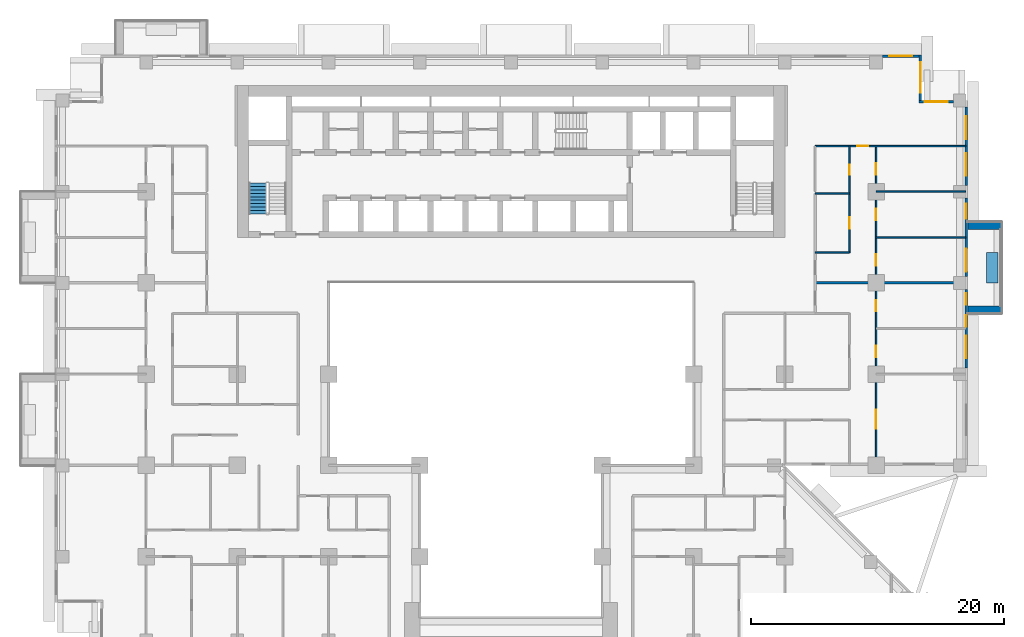
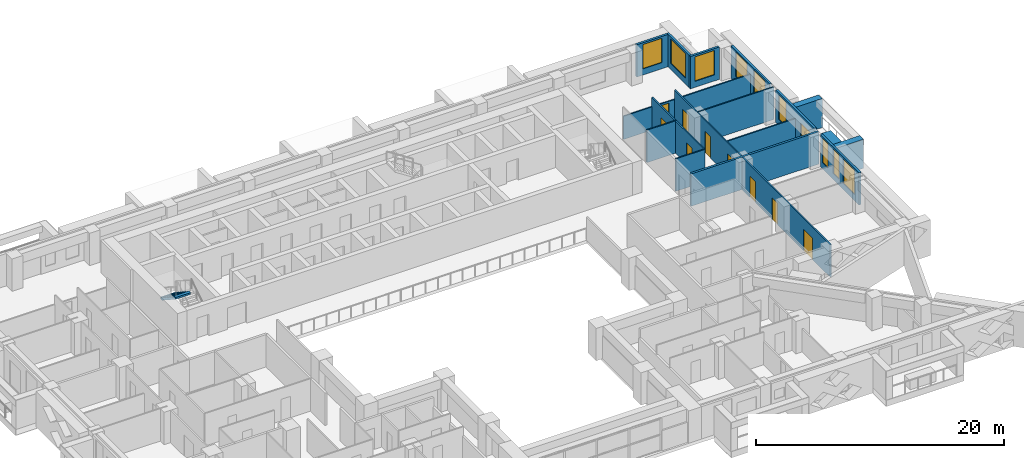
# One storey, part 12 of 17: 17 walls, 10 doors, 9 windows, 1 stair flight, 19 openings, 1 element without a shape of its own.
"""IFC4 building model written with IfcOpenShell, lengths in metres."""

from ifc_helpers import new_model, si_unit, direction, frame, frame_2d, origin, place, context, subcontext, project, spatial, polyline, rectangle, outline, extrude, material, layer, layer_set, type_object, element, fill, aggregate, save


model = new_model("IFC4")

# Units and contexts
model_context = context("Model", 3, precision=1e-05, world=origin(), true_north=direction((0.0, 1.0)))
body_context = subcontext(model_context, "Body", "Model", "MODEL_VIEW")
ifc_project = project(units=[si_unit("LENGTHUNIT", "METRE"), si_unit("AREAUNIT", "SQUARE_METRE"), si_unit("VOLUMEUNIT", "CUBIC_METRE"), si_unit("PLANEANGLEUNIT", "RADIAN"), si_unit("MASSUNIT", "GRAM", prefix="KILO")], contexts=[model_context])

# Site, building, storey
site_placement = place(None, origin())
site = spatial("IfcSite", under=ifc_project, at=site_placement, CompositionType="ELEMENT")
building_placement = place(site_placement, origin())
building = spatial("IfcBuilding", under=site, at=building_placement, Name="Saffron Iwan Residences", CompositionType="ELEMENT")
storey_placement = place(building_placement, frame((0.0, 0.0, 79.5)))
storey = spatial("IfcBuildingStorey", under=building, at=storey_placement, Name="L20", CompositionType="ELEMENT", Elevation=79.5)

# Walls
ifc_material_1 = material(Name="Concrete C50/60 white painted", Category="concrete")
ifc_layer_1 = layer(ifc_material_1, 0.60009765625)
ifc_layer_set_1 = layer_set([ifc_layer_1], Name="Concrete C50/60 white painted")
wall_type_1 = type_object("IfcWallType", Name="BALCONY FIN 600", PredefinedType="SOLIDWALL", material=ifc_layer_set_1)
for number, where, z_axis, x_axis, name in (
    (1, (86.449951171875, 60.300048828125, 0.0), (0.0, 0.0, 1.0), (1.0, 0.0, 0.0), "Balcony fin L20 F2-0a"),
    (2, (86.449951171875, 66.89990234375, 0.0), (0.0, 0.0, 1.0), (1.0, 0.0, 0.0), "Balcony fin L20 F2-0b"),
):
    element("IfcWall", number, at=place(storey_placement, frame(where, z_axis=z_axis, x_axis=x_axis)), inside=storey, type_object=wall_type_1, Name=name, PredefinedType="SOLIDWALL", context=body_context, shape_type="SweptSolid", body=[
        extrude(rectangle(XDim=2.650146484375, YDim=0.60009765625, at=frame_2d((1.3251953125, 0.0))), origin(), (0.0, 0.0, 1.0), 2.85009765625),
    ])
ifc_material_2 = material(Name="Concrete C35/45 white painted", Category="concrete")
ifc_layer_2 = layer(ifc_material_2, 0.14990234375)
ifc_layer_set_2 = layer_set([ifc_layer_2], Name="Concrete C35/45 white painted")
wall_type_2 = type_object("IfcWallType", Name="BALCONY PLANTER", PredefinedType="SOLIDWALL", material=ifc_layer_set_2)
wall_1_placement = place(storey_placement, frame((88.375, 62.39990234375, 0.0), z_axis=(0.0, 0.0, 1.0), x_axis=(0.0, 1.0, 0.0)))
element("IfcWall", 3, at=wall_1_placement, inside=storey, type_object=wall_type_2, Name="PLANTER L20 F2-0", PredefinedType="SOLIDWALL", context=body_context, shape_type="SweptSolid", body=[
    extrude(rectangle(XDim=2.400146484375, YDim=0.89990234375, at=frame_2d((1.2001953125, 0.0))), origin(), (0.0, 0.0, 1.0), 0.89990234375),
])

# Wall, openings, windows
ifc_material_3 = material(Name="Concrete C40/50", Category="concrete")
ifc_layer_3 = layer(ifc_material_3, 0.199951171875)
ifc_layer_set_3 = layer_set([ifc_layer_3], Name="Concrete C40/50")
wall_type_3 = type_object("IfcWallType", Name="EXTERNAL WALL 200", PredefinedType="SOLIDWALL", material=ifc_layer_set_3)
wall_2_placement = place(storey_placement, frame((86.300048828125, 55.699951171875, 0.0), z_axis=(0.0, 0.0, 1.0), x_axis=(0.0, 1.0, 0.0)))
wall_2 = element("IfcWall", 4, at=wall_2_placement, inside=storey, type_object=wall_type_3, Name="External wall L20 F2.1", PredefinedType="SOLIDWALL", context=body_context, shape_type="SweptSolid", body=[
    extrude(rectangle(XDim=6.199951171875, YDim=0.199951171875, at=frame_2d((3.10009765625, 0.0))), origin(), (0.0, 0.0, 1.0), 3.179931640625),
])
opening_1_placement = place(wall_2_placement, frame((0.75, 0.0, 0.60009765625)))
opening_1 = element("IfcOpeningElement", 5, at=opening_1_placement, cuts=wall_2, Name="Opening W8", PredefinedType="OPENING", context=body_context, shape_type="SweptSolid", body=[
    extrude(rectangle(XDim=1.800048828125, YDim=2.39990234375, at=frame_2d((0.89990234375, 1.199951171875))), frame((0.0, 0.10986328125, 0.0), z_axis=(0.0, -1.0, 0.0), x_axis=(1.0, 0.0, 0.0)), (0.0, 0.0, 1.0), 0.219970703125),
])
opening_2_placement = place(wall_2_placement, frame((3.25, 0.0, 0.60009765625)))
opening_2 = element("IfcOpeningElement", 6, at=opening_2_placement, cuts=wall_2, Name="Opening W10", PredefinedType="OPENING", context=body_context, shape_type="SweptSolid", body=[
    extrude(rectangle(XDim=0.89990234375, YDim=2.39990234375, at=frame_2d((0.449951171875, 1.199951171875))), frame((0.0, 0.10986328125, 0.0), z_axis=(0.0, -1.0, 0.0), x_axis=(1.0, 0.0, 0.0)), (0.0, 0.0, 1.0), 0.219970703125),
])
opening_3_placement = place(wall_2_placement, frame((5.0, 0.0, 0.60009765625)))
opening_3 = element("IfcOpeningElement", 7, at=opening_3_placement, cuts=wall_2, Name="Opening W10", PredefinedType="OPENING", context=body_context, shape_type="SweptSolid", body=[
    extrude(rectangle(XDim=0.89990234375, YDim=2.39990234375, at=frame_2d((0.449951171875, 1.199951171875))), frame((0.0, 0.10986328125, 0.0), z_axis=(0.0, -1.0, 0.0), x_axis=(1.0, 0.0, 0.0)), (0.0, 0.0, 1.0), 0.219970703125),
])
ifc_material_4 = material(Name="Clear glass, laminated double glazed", Category="glass")
window_type_1 = type_object("IfcWindowType", Name="WINDOW 1800 x 2400", PartitioningType="DOUBLE_PANEL_VERTICAL", PredefinedType="WINDOW", material=ifc_material_4)
window_1_placement = place(opening_1_placement, origin())
window_1 = element("IfcWindow", 8, at=window_1_placement, inside=storey, type_object=window_type_1, Name="Window L20 F2.0", OverallHeight=2.39990234375, OverallWidth=1.800048828125, PartitioningType="DOUBLE_PANEL_VERTICAL", PredefinedType="WINDOW", context=body_context, shape_type="SweptSolid", body=[
    extrude(rectangle(XDim=1.800048828125, YDim=2.39990234375, at=frame_2d((0.89990234375, 1.199951171875))), frame((0.0, 0.030029296875, 0.0), z_axis=(0.0, -1.0, 0.0), x_axis=(1.0, 0.0, 0.0)), (0.0, 0.0, 1.0), 0.06005859375),
])
fill(opening_1, window_1)
window_type_2 = type_object("IfcWindowType", Name="WINDOW 900 x 2400", PartitioningType="SINGLE_PANEL", PredefinedType="WINDOW", material=ifc_material_4)
window_2_placement = place(opening_2_placement, origin())
window_2 = element("IfcWindow", 9, at=window_2_placement, inside=storey, type_object=window_type_2, Name="Window L20 F2.1", OverallHeight=2.39990234375, OverallWidth=0.89990234375, PartitioningType="SINGLE_PANEL", PredefinedType="WINDOW", context=body_context, shape_type="SweptSolid", body=[
    extrude(rectangle(XDim=0.89990234375, YDim=2.39990234375, at=frame_2d((0.449951171875, 1.199951171875))), frame((0.0, 0.030029296875, 0.0), z_axis=(0.0, -1.0, 0.0), x_axis=(1.0, 0.0, 0.0)), (0.0, 0.0, 1.0), 0.06005859375),
])
fill(opening_2, window_2)
window_3_placement = place(opening_3_placement, origin())
window_3 = element("IfcWindow", 10, at=window_3_placement, inside=storey, type_object=window_type_2, Name="Window L20 F2.2", OverallHeight=2.39990234375, OverallWidth=0.89990234375, PartitioningType="SINGLE_PANEL", PredefinedType="WINDOW", context=body_context, shape_type="SweptSolid", body=[
    extrude(rectangle(XDim=0.89990234375, YDim=2.39990234375, at=frame_2d((0.449951171875, 1.199951171875))), frame((0.0, 0.030029296875, 0.0), z_axis=(0.0, -1.0, 0.0), x_axis=(1.0, 0.0, 0.0)), (0.0, 0.0, 1.0), 0.06005859375),
])
fill(opening_3, window_3)

# Wall, openings, door, window
wall_3_placement = place(storey_placement, frame((86.300048828125, 62.89990234375, 0.0), z_axis=(0.0, 0.0, 1.0), x_axis=(0.0, 1.0, 0.0)))
wall_3 = element("IfcWall", 11, at=wall_3_placement, inside=storey, type_object=wall_type_3, Name="External wall L20 F2.2", PredefinedType="SOLIDWALL", context=body_context, shape_type="SweptSolid", body=[
    extrude(rectangle(XDim=6.2001953125, YDim=0.199951171875, at=frame_2d((3.10009765625, 0.0))), origin(), (0.0, 0.0, 1.0), 3.179931640625),
])
opening_4_placement = place(wall_3_placement, frame((0.39990234375, 0.0, 0.0)))
opening_4 = element("IfcOpeningElement", 12, at=opening_4_placement, cuts=wall_3, Name="Opening BD1", PredefinedType="OPENING", context=body_context, shape_type="SweptSolid", body=[
    extrude(rectangle(XDim=1.800048828125, YDim=2.39990234375, at=frame_2d((0.89990234375, 1.199951171875))), frame((0.0, 0.10986328125, 0.0), z_axis=(0.0, -1.0, 0.0), x_axis=(1.0, 0.0, 0.0)), (0.0, 0.0, 1.0), 0.219970703125),
])
opening_5_placement = place(wall_3_placement, frame((4.550048828125, 0.0, 0.60009765625)))
opening_5 = element("IfcOpeningElement", 13, at=opening_5_placement, cuts=wall_3, Name="Opening W3", PredefinedType="OPENING", context=body_context, shape_type="SweptSolid", body=[
    extrude(rectangle(XDim=1.199951171875, YDim=2.39990234375, at=frame_2d((0.60009765625, 1.199951171875))), frame((0.0, 0.10986328125, 0.0), z_axis=(0.0, -1.0, 0.0), x_axis=(1.0, 0.0, 0.0)), (0.0, 0.0, 1.0), 0.219970703125),
])
door_type_1 = type_object("IfcDoorType", Name="BALCONY DOOR 1800 x 2400", OperationType="DOUBLE_DOOR_SLIDING", PredefinedType="DOOR", material=ifc_material_4)
door_1_placement = place(opening_4_placement, origin())
door_1 = element("IfcDoor", 14, at=door_1_placement, inside=storey, type_object=door_type_1, Name="Balcony door L20 F2.0", OperationType="DOUBLE_DOOR_SLIDING", OverallHeight=2.39990234375, OverallWidth=1.800048828125, PredefinedType="DOOR", context=body_context, shape_type="SweptSolid", body=[
    extrude(rectangle(XDim=1.800048828125, YDim=2.39990234375, at=frame_2d((0.89990234375, 1.199951171875))), frame((0.0, 0.02490234375, 0.0), z_axis=(0.0, -1.0, 0.0), x_axis=(1.0, 0.0, 0.0)), (0.0, 0.0, 1.0), 0.050048828125),
])
fill(opening_4, door_1)
window_type_3 = type_object("IfcWindowType", Name="WINDOW 1200 x 2400", PartitioningType="SINGLE_PANEL", PredefinedType="WINDOW", material=ifc_material_4)
window_4_placement = place(opening_5_placement, origin())
window_4 = element("IfcWindow", 15, at=window_4_placement, inside=storey, type_object=window_type_3, Name="Window L20 F2.1", OverallHeight=2.39990234375, OverallWidth=1.199951171875, PartitioningType="SINGLE_PANEL", PredefinedType="WINDOW", context=body_context, shape_type="SweptSolid", body=[
    extrude(rectangle(XDim=1.199951171875, YDim=2.39990234375, at=frame_2d((0.60009765625, 1.199951171875))), frame((0.0, 0.030029296875, 0.0), z_axis=(0.0, -1.0, 0.0), x_axis=(1.0, 0.0, 0.0)), (0.0, 0.0, 1.0), 0.06005859375),
])
fill(opening_5, window_4)

# Wall, openings, windows
wall_4_placement = place(storey_placement, frame((86.300048828125, 70.10009765625, 0.0), z_axis=(0.0, 0.0, 1.0), x_axis=(0.0, 1.0, 0.0)))
wall_4 = element("IfcWall", 16, at=wall_4_placement, inside=storey, type_object=wall_type_3, Name="External wall L20 F2.3", PredefinedType="SOLIDWALL", context=body_context, shape_type="SweptSolid", body=[
    extrude(rectangle(XDim=6.199951171875, YDim=0.199951171875, at=frame_2d((3.10009765625, 0.0))), origin(), (0.0, 0.0, 1.0), 3.179931640625),
])
opening_6_placement = place(wall_4_placement, frame((0.75, 0.0, 0.60009765625)))
opening_6 = element("IfcOpeningElement", 17, at=opening_6_placement, cuts=wall_4, Name="Opening W8", PredefinedType="OPENING", context=body_context, shape_type="SweptSolid", body=[
    extrude(rectangle(XDim=1.800048828125, YDim=2.39990234375, at=frame_2d((0.89990234375, 1.199951171875))), frame((0.0, 0.10986328125, 0.0), z_axis=(0.0, -1.0, 0.0), x_axis=(1.0, 0.0, 0.0)), (0.0, 0.0, 1.0), 0.219970703125),
])
opening_7_placement = place(wall_4_placement, frame((3.64990234375, 0.0, 0.60009765625)))
opening_7 = element("IfcOpeningElement", 18, at=opening_7_placement, cuts=wall_4, Name="Opening W8", PredefinedType="OPENING", context=body_context, shape_type="SweptSolid", body=[
    extrude(rectangle(XDim=1.800048828125, YDim=2.39990234375, at=frame_2d((0.89990234375, 1.199951171875))), frame((0.0, 0.10986328125, 0.0), z_axis=(0.0, -1.0, 0.0), x_axis=(1.0, 0.0, 0.0)), (0.0, 0.0, 1.0), 0.219970703125),
])
window_5_placement = place(opening_6_placement, origin())
window_5 = element("IfcWindow", 19, at=window_5_placement, inside=storey, type_object=window_type_1, Name="Window L20 F2.0", OverallHeight=2.39990234375, OverallWidth=1.800048828125, PartitioningType="DOUBLE_PANEL_VERTICAL", PredefinedType="WINDOW", context=body_context, shape_type="SweptSolid", body=[
    extrude(rectangle(XDim=1.800048828125, YDim=2.39990234375, at=frame_2d((0.89990234375, 1.199951171875))), frame((0.0, 0.030029296875, 0.0), z_axis=(0.0, -1.0, 0.0), x_axis=(1.0, 0.0, 0.0)), (0.0, 0.0, 1.0), 0.06005859375),
])
fill(opening_6, window_5)
window_6_placement = place(opening_7_placement, origin())
window_6 = element("IfcWindow", 20, at=window_6_placement, inside=storey, type_object=window_type_1, Name="Window L20 F2.1", OverallHeight=2.39990234375, OverallWidth=1.800048828125, PartitioningType="DOUBLE_PANEL_VERTICAL", PredefinedType="WINDOW", context=body_context, shape_type="SweptSolid", body=[
    extrude(rectangle(XDim=1.800048828125, YDim=2.39990234375, at=frame_2d((0.89990234375, 1.199951171875))), frame((0.0, 0.030029296875, 0.0), z_axis=(0.0, -1.0, 0.0), x_axis=(1.0, 0.0, 0.0)), (0.0, 0.0, 1.0), 0.06005859375),
])
fill(opening_7, window_6)

# Wall, opening, window
wall_5_placement = place(storey_placement, frame((85.300048828125, 76.699951171875, 0.0), z_axis=(0.0, 0.0, 1.0), x_axis=(-1.0, 0.0, 0.0)))
wall_5 = element("IfcWall", 21, at=wall_5_placement, inside=storey, type_object=wall_type_3, Name="External wall L20 F3.0", PredefinedType="SOLIDWALL", context=body_context, shape_type="SweptSolid", body=[
    extrude(rectangle(XDim=2.699951171875, YDim=0.199951171875, at=frame_2d((1.35009765625, 0.0))), origin(), (0.0, 0.0, 1.0), 3.179931640625),
])
opening_8_placement = place(wall_5_placement, frame((0.449951171875, 0.0, 0.60009765625)))
opening_8 = element("IfcOpeningElement", 22, at=opening_8_placement, cuts=wall_5, Name="Opening W8", PredefinedType="OPENING", context=body_context, shape_type="SweptSolid", body=[
    extrude(rectangle(XDim=1.800048828125, YDim=2.39990234375, at=frame_2d((0.89990234375, 1.199951171875))), frame((0.0, 0.10986328125, 0.0), z_axis=(0.0, -1.0, 0.0), x_axis=(1.0, 0.0, 0.0)), (0.0, 0.0, 1.0), 0.219970703125),
])
window_7_placement = place(opening_8_placement, origin())
window_7 = element("IfcWindow", 23, at=window_7_placement, inside=storey, type_object=window_type_1, Name="Window L20 F3.0", OverallHeight=2.39990234375, OverallWidth=1.800048828125, PartitioningType="DOUBLE_PANEL_VERTICAL", PredefinedType="WINDOW", context=body_context, shape_type="SweptSolid", body=[
    extrude(rectangle(XDim=1.800048828125, YDim=2.39990234375, at=frame_2d((0.89990234375, 1.199951171875))), frame((0.0, 0.030029296875, 0.0), z_axis=(0.0, -1.0, 0.0), x_axis=(1.0, 0.0, 0.0)), (0.0, 0.0, 1.0), 0.06005859375),
])
fill(opening_8, window_7)

wall_6_placement = place(storey_placement, frame((82.699951171875, 76.800048828125, 0.0), z_axis=(0.0, 0.0, 1.0), x_axis=(0.0, 1.0, 0.0)))
wall_6 = element("IfcWall", 24, at=wall_6_placement, inside=storey, type_object=wall_type_3, Name="External wall L20 F4.0", PredefinedType="SOLIDWALL", context=body_context, shape_type="SweptSolid", body=[
    extrude(rectangle(XDim=3.599853515625, YDim=0.199951171875, at=frame_2d((1.7998046875, 0.0))), origin(), (0.0, 0.0, 1.0), 3.179931640625),
])
opening_9_placement = place(wall_6_placement, frame((0.60009765625, 0.0, 0.60009765625)))
opening_9 = element("IfcOpeningElement", 25, at=opening_9_placement, cuts=wall_6, Name="Opening W1", PredefinedType="OPENING", context=body_context, shape_type="SweptSolid", body=[
    extrude(rectangle(XDim=2.39990234375, YDim=2.39990234375, at=frame_2d((1.199951171875, 1.199951171875))), frame((0.0, 0.10986328125, 0.0), z_axis=(0.0, -1.0, 0.0), x_axis=(1.0, 0.0, 0.0)), (0.0, 0.0, 1.0), 0.219970703125),
])
window_type_4 = type_object("IfcWindowType", Name="WINDOW 2400 x 2400", PartitioningType="DOUBLE_PANEL_VERTICAL", PredefinedType="WINDOW", material=ifc_material_4)
window_8_placement = place(opening_9_placement, origin())
window_8 = element("IfcWindow", 26, at=window_8_placement, inside=storey, type_object=window_type_4, Name="Window L20 F4.0", OverallHeight=2.39990234375, OverallWidth=2.39990234375, PartitioningType="DOUBLE_PANEL_VERTICAL", PredefinedType="WINDOW", context=body_context, shape_type="SweptSolid", body=[
    extrude(rectangle(XDim=2.39990234375, YDim=2.39990234375, at=frame_2d((1.199951171875, 1.199951171875))), frame((0.0, 0.030029296875, 0.0), z_axis=(0.0, -1.0, 0.0), x_axis=(1.0, 0.0, 0.0)), (0.0, 0.0, 1.0), 0.06005859375),
])
fill(opening_9, window_8)

wall_7_placement = place(storey_placement, frame((82.60009765625, 80.300048828125, 0.0), z_axis=(0.0, 0.0, 1.0), x_axis=(-1.0, 0.0, 0.0)))
wall_7 = element("IfcWall", 27, at=wall_7_placement, inside=storey, type_object=wall_type_3, Name="External wall L20 F5.0", PredefinedType="SOLIDWALL", context=body_context, shape_type="SweptSolid", body=[
    extrude(rectangle(XDim=2.900146484375, YDim=0.199951171875, at=frame_2d((1.4501953125, 0.0))), origin(), (0.0, 0.0, 1.0), 3.179931640625),
])
opening_10_placement = place(wall_7_placement, frame((0.550048828125, 0.0, 0.60009765625)))
opening_10 = element("IfcOpeningElement", 28, at=opening_10_placement, cuts=wall_7, Name="Opening W8", PredefinedType="OPENING", context=body_context, shape_type="SweptSolid", body=[
    extrude(rectangle(XDim=1.800048828125, YDim=2.39990234375, at=frame_2d((0.89990234375, 1.199951171875))), frame((0.0, 0.10986328125, 0.0), z_axis=(0.0, -1.0, 0.0), x_axis=(1.0, 0.0, 0.0)), (0.0, 0.0, 1.0), 0.219970703125),
])
window_9_placement = place(opening_10_placement, origin())
window_9 = element("IfcWindow", 29, at=window_9_placement, inside=storey, type_object=window_type_1, Name="Window L20 F5.0", OverallHeight=2.39990234375, OverallWidth=1.800048828125, PartitioningType="DOUBLE_PANEL_VERTICAL", PredefinedType="WINDOW", context=body_context, shape_type="SweptSolid", body=[
    extrude(rectangle(XDim=1.800048828125, YDim=2.39990234375, at=frame_2d((0.89990234375, 1.199951171875))), frame((0.0, 0.030029296875, 0.0), z_axis=(0.0, -1.0, 0.0), x_axis=(1.0, 0.0, 0.0)), (0.0, 0.0, 1.0), 0.06005859375),
])
fill(opening_10, window_9)

# Walls
ifc_material_5 = material(Name="Fire-rated gypsum board wall")
ifc_layer_4 = layer(ifc_material_5, 0.199951171875)
ifc_layer_set_4 = layer_set([ifc_layer_4], Name="Fire-rated gypsum board wall")
wall_type_4 = type_object("IfcWallType", Name="Flat demising wall 200", PredefinedType="SOLIDWALL", material=ifc_layer_set_4)
wall_8_placement = place(storey_placement, frame((74.39990234375, 62.39990234375, 0.0), z_axis=(0.0, 0.0, 1.0), x_axis=(1.0, 0.0, 0.0)))
element("IfcWall", 30, at=wall_8_placement, inside=storey, type_object=wall_type_4, Name="W-L20-DEMISE-h62.4-74.4", PredefinedType="SOLIDWALL", context=body_context, shape_type="SweptSolid", body=[
    extrude(rectangle(XDim=11.875, YDim=0.199951171875, at=frame_2d((5.9375, 0.0))), origin(), (0.0, 0.0, 1.0), 3.179931640625),
])
ifc_material_6 = material(Name="Gypsum board partition")
ifc_layer_5 = layer(ifc_material_6, 0.1201171875)
ifc_layer_set_5 = layer_set([ifc_layer_5], Name="Gypsum board partition")
wall_type_5 = type_object("IfcWallType", Name="Flat partition 120", PredefinedType="PARTITIONING", material=ifc_layer_set_5)
wall_9_placement = place(storey_placement, frame((74.39990234375, 64.800048828125, 0.0), z_axis=(0.0, 0.0, 1.0), x_axis=(1.0, 0.0, 0.0)))
element("IfcWall", 31, at=wall_9_placement, inside=storey, type_object=wall_type_5, Name="W-L20-PART-h64.8-74.4", PredefinedType="PARTITIONING", context=body_context, shape_type="SweptSolid", body=[
    extrude(rectangle(XDim=2.7001953125, YDim=0.1201171875, at=frame_2d((1.35009765625, 0.0))), origin(), (0.0, 0.0, 1.0), 3.179931640625),
])
wall_10_placement = place(storey_placement, frame((79.199951171875, 66.0, 0.0), z_axis=(0.0, 0.0, 1.0), x_axis=(1.0, 0.0, 0.0)))
element("IfcWall", 32, at=wall_10_placement, inside=storey, type_object=wall_type_5, Name="W-L20-PART-h66-79.2", PredefinedType="PARTITIONING", context=body_context, shape_type="SweptSolid", body=[
    extrude(rectangle(XDim=7.074951171875, YDim=0.1201171875, at=frame_2d((3.53759765625, 0.0))), origin(), (0.0, 0.0, 1.0), 2.280029296875),
])
wall_11_placement = place(storey_placement, frame((74.39990234375, 69.449951171875, 0.0), z_axis=(0.0, 0.0, 1.0), x_axis=(1.0, 0.0, 0.0)))
element("IfcWall", 33, at=wall_11_placement, inside=storey, type_object=wall_type_5, Name="W-L20-PART-h69.45-74.4", PredefinedType="PARTITIONING", context=body_context, shape_type="SweptSolid", body=[
    extrude(rectangle(XDim=2.7001953125, YDim=0.1201171875, at=frame_2d((1.35009765625, 0.0))), origin(), (0.0, 0.0, 1.0), 3.179931640625),
])
wall_12_placement = place(storey_placement, frame((79.199951171875, 69.60009765625, 0.0), z_axis=(0.0, 0.0, 1.0), x_axis=(1.0, 0.0, 0.0)))
element("IfcWall", 34, at=wall_12_placement, inside=storey, type_object=wall_type_5, Name="W-L20-PART-h69.6-79.2", PredefinedType="PARTITIONING", context=body_context, shape_type="SweptSolid", body=[
    extrude(rectangle(XDim=7.074951171875, YDim=0.1201171875, at=frame_2d((3.53759765625, 0.0))), origin(), (0.0, 0.0, 1.0), 3.179931640625),
])

# Wall, opening, door
wall_13_placement = place(storey_placement, frame((74.39990234375, 73.199951171875, 0.0), z_axis=(0.0, 0.0, 1.0), x_axis=(1.0, 0.0, 0.0)))
wall_13 = element("IfcWall", 35, at=wall_13_placement, inside=storey, type_object=wall_type_5, Name="W-L20-PART-h73.2-74.4", PredefinedType="PARTITIONING", context=body_context, shape_type="SweptSolid", body=[
    extrude(rectangle(XDim=11.875, YDim=0.1201171875, at=frame_2d((5.9375, 0.0))), origin(), (0.0, 0.0, 1.0), 2.280029296875),
])
opening_11_placement = place(wall_13_placement, frame((3.300048828125, 0.0, 0.0)))
opening_11 = element("IfcOpeningElement", 36, at=opening_11_placement, cuts=wall_13, Name="Opening FD2", PredefinedType="OPENING", context=body_context, shape_type="SweptSolid", body=[
    extrude(rectangle(XDim=0.89990234375, YDim=2.10009765625, at=frame_2d((0.449951171875, 1.050048828125))), frame((0.0, 0.070068359375, 0.0), z_axis=(0.0, -1.0, 0.0), x_axis=(1.0, 0.0, 0.0)), (0.0, 0.0, 1.0), 0.14013671875),
])
ifc_material_7 = material(Name="Timber door", Category="wood")
door_type_2 = type_object("IfcDoorType", Name="Flat door 900", OperationType="NOTDEFINED", PredefinedType="DOOR", material=ifc_material_7)
door_2_placement = place(opening_11_placement, origin())
door_2 = element("IfcDoor", 37, at=door_2_placement, inside=storey, type_object=door_type_2, Name="Door L20-040", OperationType="SINGLE_SWING_LEFT", OverallHeight=2.10009765625, OverallWidth=0.89990234375, PredefinedType="DOOR", context=body_context, shape_type="SweptSolid", body=[
    extrude(rectangle(XDim=0.89990234375, YDim=2.10009765625, at=frame_2d((0.449951171875, 1.050048828125))), frame((0.0, 0.02490234375, 0.0), z_axis=(0.0, -1.0, 0.0), x_axis=(1.0, 0.0, 0.0)), (0.0, 0.0, 1.0), 0.050048828125),
])
fill(opening_11, door_2)

# Wall, openings, doors
wall_14_placement = place(storey_placement, frame((77.10009765625, 64.800048828125, 0.0), z_axis=(0.0, 0.0, 1.0), x_axis=(0.0, 1.0, 0.0)))
wall_14 = element("IfcWall", 38, at=wall_14_placement, inside=storey, type_object=wall_type_5, Name="W-L20-PART-v77.1-64.8", PredefinedType="PARTITIONING", context=body_context, shape_type="SweptSolid", body=[
    extrude(rectangle(XDim=8.39990234375, YDim=0.1201171875, at=frame_2d((4.199951171875, 0.0))), origin(), (0.0, 0.0, 1.0), 3.179931640625),
])
opening_12_placement = place(wall_14_placement, frame((1.875, 0.0, 0.0)))
opening_12 = element("IfcOpeningElement", 39, at=opening_12_placement, cuts=wall_14, Name="Opening FD2", PredefinedType="OPENING", context=body_context, shape_type="SweptSolid", body=[
    extrude(rectangle(XDim=0.89990234375, YDim=2.10009765625, at=frame_2d((0.449951171875, 1.050048828125))), frame((0.0, 0.070068359375, 0.0), z_axis=(0.0, -1.0, 0.0), x_axis=(1.0, 0.0, 0.0)), (0.0, 0.0, 1.0), 0.14013671875),
])
opening_13_placement = place(wall_14_placement, frame((6.125, 0.0, 0.0)))
opening_13 = element("IfcOpeningElement", 40, at=opening_13_placement, cuts=wall_14, Name="Opening FD3", PredefinedType="OPENING", context=body_context, shape_type="SweptSolid", body=[
    extrude(rectangle(XDim=0.800048828125, YDim=2.10009765625, at=frame_2d((0.39990234375, 1.050048828125))), frame((0.0, 0.070068359375, 0.0), z_axis=(0.0, -1.0, 0.0), x_axis=(1.0, 0.0, 0.0)), (0.0, 0.0, 1.0), 0.14013671875),
])
door_type_3 = type_object("IfcDoorType", Name="Bathroom door 800", OperationType="NOTDEFINED", PredefinedType="DOOR", material=ifc_material_7)
door_3_placement = place(opening_13_placement, origin())
door_3 = element("IfcDoor", 41, at=door_3_placement, inside=storey, type_object=door_type_3, Name="Door L20-042", OperationType="SINGLE_SWING_LEFT", OverallHeight=2.10009765625, OverallWidth=0.800048828125, PredefinedType="DOOR", context=body_context, shape_type="SweptSolid", body=[
    extrude(rectangle(XDim=0.800048828125, YDim=2.10009765625, at=frame_2d((0.39990234375, 1.050048828125))), frame((0.0, 0.02490234375, 0.0), z_axis=(0.0, -1.0, 0.0), x_axis=(1.0, 0.0, 0.0)), (0.0, 0.0, 1.0), 0.050048828125),
])
fill(opening_13, door_3)
door_4_placement = place(opening_12_placement, origin())
door_4 = element("IfcDoor", 42, at=door_4_placement, inside=storey, type_object=door_type_2, Name="Door L20-041", OperationType="SINGLE_SWING_RIGHT", OverallHeight=2.10009765625, OverallWidth=0.89990234375, PredefinedType="DOOR", context=body_context, shape_type="SweptSolid", body=[
    extrude(rectangle(XDim=0.89990234375, YDim=2.10009765625, at=frame_2d((0.449951171875, 1.050048828125))), frame((0.0, 0.02490234375, 0.0), z_axis=(0.0, -1.0, 0.0), x_axis=(1.0, 0.0, 0.0)), (0.0, 0.0, 1.0), 0.050048828125),
])
fill(opening_12, door_4)

wall_15_placement = place(storey_placement, frame((79.199951171875, 48.125, 0.0), z_axis=(0.0, 0.0, 1.0), x_axis=(0.0, 1.0, 0.0)))
wall_15 = element("IfcWall", 43, at=wall_15_placement, inside=storey, type_object=wall_type_5, Name="W-L20-PART-v79.2-48.125", PredefinedType="PARTITIONING", context=body_context, shape_type="SweptSolid", body=[
    extrude(rectangle(XDim=25.074951171875, YDim=0.1201171875, at=frame_2d((12.53759765625, 0.0))), origin(), (0.0, 0.0, 1.0), 3.179931640625),
])
opening_14_placement = place(wall_15_placement, frame((2.78759765625, 0.0, 0.0)))
opening_14 = element("IfcOpeningElement", 44, at=opening_14_placement, cuts=wall_15, Name="Opening FD4", PredefinedType="OPENING", context=body_context, shape_type="SweptSolid", body=[
    extrude(rectangle(XDim=1.5, YDim=2.10009765625, at=frame_2d((0.75, 1.050048828125))), frame((0.0, 0.070068359375, 0.0), z_axis=(0.0, -1.0, 0.0), x_axis=(1.0, 0.0, 0.0)), (0.0, 0.0, 1.0), 0.14013671875),
])
opening_15_placement = place(wall_15_placement, frame((8.425048828125, 0.0, 0.0)))
opening_15 = element("IfcOpeningElement", 45, at=opening_15_placement, cuts=wall_15, Name="Opening FD2", PredefinedType="OPENING", context=body_context, shape_type="SweptSolid", body=[
    extrude(rectangle(XDim=0.89990234375, YDim=2.10009765625, at=frame_2d((0.449951171875, 1.050048828125))), frame((0.0, 0.070068359375, 0.0), z_axis=(0.0, -1.0, 0.0), x_axis=(1.0, 0.0, 0.0)), (0.0, 0.0, 1.0), 0.14013671875),
])
opening_16_placement = place(wall_15_placement, frame((12.02490234375, 0.0, 0.0)))
opening_16 = element("IfcOpeningElement", 46, at=opening_16_placement, cuts=wall_15, Name="Opening FD2", PredefinedType="OPENING", context=body_context, shape_type="SweptSolid", body=[
    extrude(rectangle(XDim=0.89990234375, YDim=2.10009765625, at=frame_2d((0.449951171875, 1.050048828125))), frame((0.0, 0.070068359375, 0.0), z_axis=(0.0, -1.0, 0.0), x_axis=(1.0, 0.0, 0.0)), (0.0, 0.0, 1.0), 0.14013671875),
])
opening_17_placement = place(wall_15_placement, frame((15.625, 0.0, 0.0)))
opening_17 = element("IfcOpeningElement", 47, at=opening_17_placement, cuts=wall_15, Name="Opening FD2", PredefinedType="OPENING", context=body_context, shape_type="SweptSolid", body=[
    extrude(rectangle(XDim=0.89990234375, YDim=2.10009765625, at=frame_2d((0.449951171875, 1.050048828125))), frame((0.0, 0.070068359375, 0.0), z_axis=(0.0, -1.0, 0.0), x_axis=(1.0, 0.0, 0.0)), (0.0, 0.0, 1.0), 0.14013671875),
])
opening_18_placement = place(wall_15_placement, frame((19.22509765625, 0.0, 0.0)))
opening_18 = element("IfcOpeningElement", 48, at=opening_18_placement, cuts=wall_15, Name="Opening FD2", PredefinedType="OPENING", context=body_context, shape_type="SweptSolid", body=[
    extrude(rectangle(XDim=0.89990234375, YDim=2.10009765625, at=frame_2d((0.449951171875, 1.050048828125))), frame((0.0, 0.070068359375, 0.0), z_axis=(0.0, -1.0, 0.0), x_axis=(1.0, 0.0, 0.0)), (0.0, 0.0, 1.0), 0.14013671875),
])
opening_19_placement = place(wall_15_placement, frame((22.824951171875, 0.0, 0.0)))
opening_19 = element("IfcOpeningElement", 49, at=opening_19_placement, cuts=wall_15, Name="Opening FD2", PredefinedType="OPENING", context=body_context, shape_type="SweptSolid", body=[
    extrude(rectangle(XDim=0.89990234375, YDim=2.10009765625, at=frame_2d((0.449951171875, 1.050048828125))), frame((0.0, 0.070068359375, 0.0), z_axis=(0.0, -1.0, 0.0), x_axis=(1.0, 0.0, 0.0)), (0.0, 0.0, 1.0), 0.14013671875),
])
door_type_4 = type_object("IfcDoorType", Name="Double door 1500", OperationType="NOTDEFINED", PredefinedType="DOOR", material=ifc_material_7)
door_5_placement = place(opening_14_placement, origin())
door_5 = element("IfcDoor", 50, at=door_5_placement, inside=storey, type_object=door_type_4, Name="Door L20-022", OperationType="SINGLE_SWING_LEFT", OverallHeight=2.10009765625, OverallWidth=1.5, PredefinedType="DOOR", context=body_context, shape_type="SweptSolid", body=[
    extrude(rectangle(XDim=1.5, YDim=2.10009765625, at=frame_2d((0.75, 1.050048828125))), frame((0.0, 0.02490234375, 0.0), z_axis=(0.0, -1.0, 0.0), x_axis=(1.0, 0.0, 0.0)), (0.0, 0.0, 1.0), 0.050048828125),
])
fill(opening_14, door_5)
door_6_placement = place(opening_15_placement, origin())
door_6 = element("IfcDoor", 51, at=door_6_placement, inside=storey, type_object=door_type_2, Name="Door L20-023", OperationType="SINGLE_SWING_RIGHT", OverallHeight=2.10009765625, OverallWidth=0.89990234375, PredefinedType="DOOR", context=body_context, shape_type="SweptSolid", body=[
    extrude(rectangle(XDim=0.89990234375, YDim=2.10009765625, at=frame_2d((0.449951171875, 1.050048828125))), frame((0.0, 0.02490234375, 0.0), z_axis=(0.0, -1.0, 0.0), x_axis=(1.0, 0.0, 0.0)), (0.0, 0.0, 1.0), 0.050048828125),
])
fill(opening_15, door_6)
door_7_placement = place(opening_16_placement, origin())
door_7 = element("IfcDoor", 52, at=door_7_placement, inside=storey, type_object=door_type_2, Name="Door L20-024", OperationType="SINGLE_SWING_LEFT", OverallHeight=2.10009765625, OverallWidth=0.89990234375, PredefinedType="DOOR", context=body_context, shape_type="SweptSolid", body=[
    extrude(rectangle(XDim=0.89990234375, YDim=2.10009765625, at=frame_2d((0.449951171875, 1.050048828125))), frame((0.0, 0.02490234375, 0.0), z_axis=(0.0, -1.0, 0.0), x_axis=(1.0, 0.0, 0.0)), (0.0, 0.0, 1.0), 0.050048828125),
])
fill(opening_16, door_7)
door_8_placement = place(opening_17_placement, origin())
door_8 = element("IfcDoor", 53, at=door_8_placement, inside=storey, type_object=door_type_2, Name="Door L20-037", OperationType="SINGLE_SWING_LEFT", OverallHeight=2.10009765625, OverallWidth=0.89990234375, PredefinedType="DOOR", context=body_context, shape_type="SweptSolid", body=[
    extrude(rectangle(XDim=0.89990234375, YDim=2.10009765625, at=frame_2d((0.449951171875, 1.050048828125))), frame((0.0, 0.02490234375, 0.0), z_axis=(0.0, -1.0, 0.0), x_axis=(1.0, 0.0, 0.0)), (0.0, 0.0, 1.0), 0.050048828125),
])
fill(opening_17, door_8)
door_9_placement = place(opening_18_placement, origin())
door_9 = element("IfcDoor", 54, at=door_9_placement, inside=storey, type_object=door_type_2, Name="Door L20-038", OperationType="SINGLE_SWING_RIGHT", OverallHeight=2.10009765625, OverallWidth=0.89990234375, PredefinedType="DOOR", context=body_context, shape_type="SweptSolid", body=[
    extrude(rectangle(XDim=0.89990234375, YDim=2.10009765625, at=frame_2d((0.449951171875, 1.050048828125))), frame((0.0, 0.02490234375, 0.0), z_axis=(0.0, -1.0, 0.0), x_axis=(1.0, 0.0, 0.0)), (0.0, 0.0, 1.0), 0.050048828125),
])
fill(opening_18, door_9)
door_10_placement = place(opening_19_placement, origin())
door_10 = element("IfcDoor", 55, at=door_10_placement, inside=storey, type_object=door_type_2, Name="Door L20-039", OperationType="SINGLE_SWING_LEFT", OverallHeight=2.10009765625, OverallWidth=0.89990234375, PredefinedType="DOOR", context=body_context, shape_type="SweptSolid", body=[
    extrude(rectangle(XDim=0.89990234375, YDim=2.10009765625, at=frame_2d((0.449951171875, 1.050048828125))), frame((0.0, 0.02490234375, 0.0), z_axis=(0.0, -1.0, 0.0), x_axis=(1.0, 0.0, 0.0)), (0.0, 0.0, 1.0), 0.050048828125),
])
fill(opening_19, door_10)

# Stair, stair flight
ifc_material_8 = material(Name="Concrete C50/60", Category="concrete")
stair_type = type_object("IfcStairType", Name="Stair ST-CORE", PredefinedType="HALF_TURN_STAIR", material=ifc_material_8)
stair_placement = place(storey_placement, origin())
stair = element("IfcStair", 56, at=stair_placement, inside=storey, type_object=stair_type, Name="L20 Exit Stair ST-W", PredefinedType="HALF_TURN_STAIR")
ifc_layer_6 = layer(ifc_material_8, 0.14990234375)
ifc_layer_set_6 = layer_set([ifc_layer_6], Name="Concrete C50/60")
stair_flight_type = type_object("IfcStairFlightType", Name="Stair flight SFL-RC", PredefinedType="STRAIGHT", material=ifc_layer_set_6)
stair_flight_placement = place(storey_placement, frame((30.39990234375, 70.280029296875, 1.75), z_axis=(0.0, 0.0, 1.0), x_axis=(0.0, -1.0, 0.0)))
stair_flight = element("IfcStairFlight", 57, at=stair_flight_placement, type_object=stair_flight_type, Name="ST-W flight 2", NumberOfRisers=10, NumberOfTreads=9, PredefinedType="STRAIGHT", RiserHeight=0.175, TreadLength=0.27, context=body_context, shape_type="SweptSolid", body=[
    extrude(outline(polyline([(0.0, 0.0), (0.0, 0.175048828125), (0.27001953125, 0.175048828125), (0.27001953125, 0.35009765625), (0.5400390625, 0.35009765625), (0.5400390625, 0.52490234375), (0.81005859375, 0.52490234375), (0.81005859375, 0.699951171875), (1.080078125, 0.699951171875), (1.080078125, 0.875), (1.35009765625, 0.875), (1.35009765625, 1.050048828125), (1.6201171875, 1.050048828125), (1.6201171875, 1.22509765625), (1.889892578125, 1.22509765625), (1.889892578125, 1.39990234375), (2.159912109375, 1.39990234375), (2.159912109375, 1.574951171875), (2.429931640625, 1.574951171875), (2.429931640625, 1.75), (2.429931640625, 1.396484375), (0.275634765625, 0.0), (0.0, 0.0)])), frame((0.0, 0.699951171875, 0.0), z_axis=(0.0, -1.0, 0.0), x_axis=(1.0, 0.0, 0.0)), (0.0, 0.0, 1.0), 1.39990234375),
])
aggregate(stair, [stair_flight])

save(model, "model.ifc")
